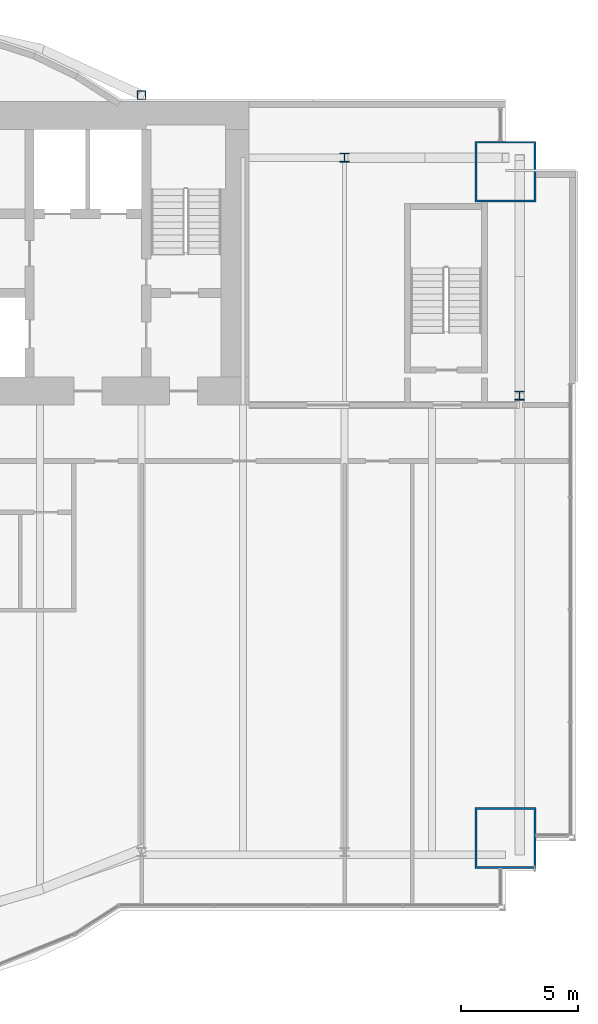
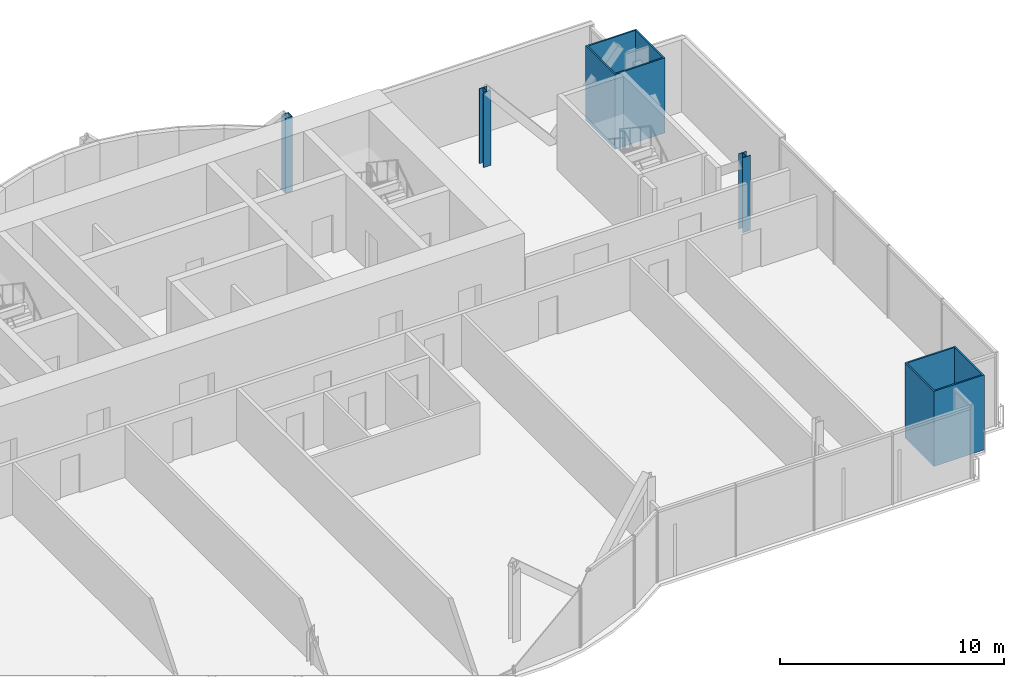
# One storey, part 4 of 21: 5 columns.
"""IFC4 building model written with IfcOpenShell, lengths in metres."""

from ifc_helpers import new_model, si_unit, direction, frame, origin, origin_2d, place, context, subcontext, project, spatial, hollow_rectangle, i_section, extrude, material, material_profile, profile_set, type_object, element, save


model = new_model("IFC4")

# Units and contexts
model_context = context("Model", 3, precision=1e-05, world=origin(), true_north=direction((0.0, 1.0)))
body_context = subcontext(model_context, "Body", "Model", "MODEL_VIEW")
ifc_project = project(units=[si_unit("LENGTHUNIT", "METRE"), si_unit("AREAUNIT", "SQUARE_METRE"), si_unit("VOLUMEUNIT", "CUBIC_METRE"), si_unit("PLANEANGLEUNIT", "RADIAN"), si_unit("MASSUNIT", "GRAM", prefix="KILO")], contexts=[model_context])

# Site, building, storey
site_placement = place(None, origin())
site = spatial("IfcSite", under=ifc_project, at=site_placement, CompositionType="ELEMENT")
building_placement = place(site_placement, origin())
building = spatial("IfcBuilding", under=site, at=building_placement, Name="Bicima Exchange Tower", CompositionType="ELEMENT")
storey_placement = place(building_placement, frame((0.0, 0.0, 165.0)))
storey = spatial("IfcBuildingStorey", under=building, at=storey_placement, Name="L36", CompositionType="ELEMENT", Elevation=165.0)

# Columns
ifc_material_1 = material(Name="Steel ASTM A572 Gr 50", Category="steel")
ifc_material_profile_1 = material_profile(ifc_material_1, hollow_rectangle(XDim=2.60009765625, YDim=2.60009765625, WallThickness=0.080078125, at=origin_2d()))
ifc_profile_set_1 = profile_set([ifc_material_profile_1], Name="Steel ASTM A572 Gr 50")
column_type_1 = type_object("IfcColumnType", Name="Mega column BOX 2600x2600x80", PredefinedType="COLUMN", material=ifc_profile_set_1)
for number, where, z_axis, x_axis, name in (
    (1, (33.0, -31.55810546875, 0.0), (0.0, 0.0, 1.0), (1.0, 0.0, 0.0), "Mega column mega+33.0f"),
    (2, (33.0, -3.0, 0.0), (0.0, 0.0, 1.0), (1.0, 0.0, 0.0), "Mega column mega+33.0r"),
):
    element("IfcColumn", number, at=place(storey_placement, frame(where, z_axis=z_axis, x_axis=x_axis)), inside=storey, type_object=column_type_1, Name=name, PredefinedType="COLUMN", context=body_context, shape_type="SweptSolid", body=[
        extrude(hollow_rectangle(XDim=2.60009765625, YDim=2.60009765625, WallThickness=0.080078125, at=origin_2d()), origin(), (0.0, 0.0, 1.0), 4.10009765625),
    ])
ifc_material_2 = material(Name="Steel ASTM A992 Gr 50", Category="steel")
ifc_material_profile_2 = material_profile(ifc_material_2, i_section(OverallWidth=0.396240234375, OverallDepth=0.381103515625, WebThickness=0.01904296875, FlangeThickness=0.0302734375, at=origin_2d()))
ifc_profile_set_2 = profile_set([ifc_material_profile_2], Name="Steel ASTM A992 Gr 50")
column_type_2 = type_object("IfcColumnType", Name="Perimeter column W14x159", PredefinedType="COLUMN", material=ifc_profile_set_2)
for number, where, z_axis, x_axis, name in (
    (3, (26.10009765625, -2.39990234375, 0.0), (0.0, 0.0, 1.0), (1.0, 0.0, 0.0), "Perimeter column grav+26.1r"),
    (4, (33.60009765625, -12.60009765625, 0.0), (0.0, 0.0, 1.0), (1.0, 0.0, 0.0), "End column end+33.6e"),
):
    element("IfcColumn", number, at=place(storey_placement, frame(where, z_axis=z_axis, x_axis=x_axis)), inside=storey, type_object=column_type_2, Name=name, PredefinedType="COLUMN", context=body_context, shape_type="SweptSolid", body=[
        extrude(i_section(OverallWidth=0.396240234375, OverallDepth=0.381103515625, WebThickness=0.01904296875, FlangeThickness=0.0302734375, at=origin_2d()), origin(), (0.0, 0.0, 1.0), 4.10009765625),
    ])
ifc_material_profile_3 = material_profile(ifc_material_1, hollow_rectangle(XDim=0.355712890625, YDim=0.355712890625, WallThickness=0.01171875, at=origin_2d()))
ifc_profile_set_3 = profile_set([ifc_material_profile_3], Name="Steel ASTM A572 Gr 50")
column_type_3 = type_object("IfcColumnType", Name="Rear pilaster HSS14x14x1/2", PredefinedType="COLUMN", material=ifc_profile_set_3)
column_placement = place(storey_placement, frame((17.39990234375, 0.278076171875, 0.0), z_axis=(0.0, 0.0, 1.0), x_axis=(1.0, 0.0, 0.0)))
element("IfcColumn", 5, at=column_placement, inside=storey, type_object=column_type_3, Name="Rear pilaster rexo+17.4r", PredefinedType="COLUMN", context=body_context, shape_type="SweptSolid", body=[
    extrude(hollow_rectangle(XDim=0.355712890625, YDim=0.355712890625, WallThickness=0.01171875, at=origin_2d()), origin(), (0.0, 0.0, 1.0), 4.10009765625),
])

save(model, "model.ifc")
